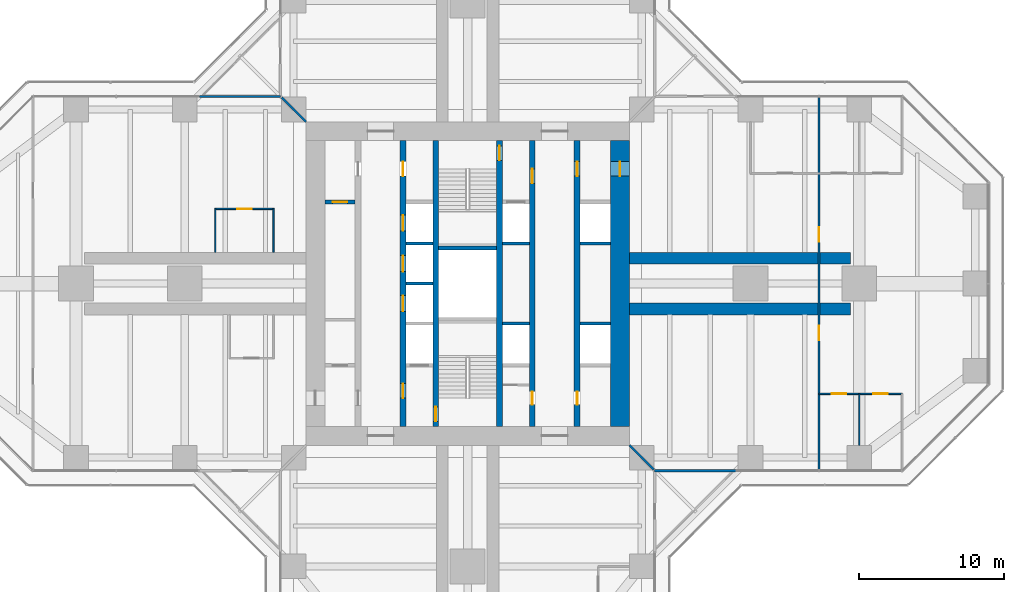
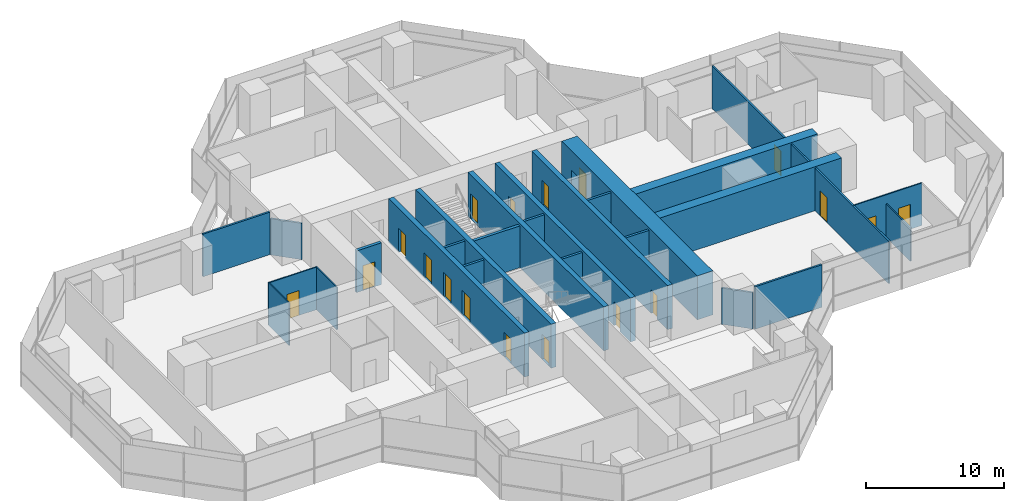
# One storey, part 16 of 19: 26 walls, 18 doors, 18 openings.
"""IFC4 building model written with IfcOpenShell, lengths in metres."""

from ifc_helpers import new_model, si_unit, direction, frame, frame_2d, origin, place, context, subcontext, project, spatial, rectangle, extrude, material, layer, layer_set, type_object, element, fill, save


model = new_model("IFC4")

# Units and contexts
model_context = context("Model", 3, precision=1e-05, world=origin(), true_north=direction((0.0, 1.0)))
body_context = subcontext(model_context, "Body", "Model", "MODEL_VIEW")
ifc_project = project(units=[si_unit("LENGTHUNIT", "METRE"), si_unit("AREAUNIT", "SQUARE_METRE"), si_unit("VOLUMEUNIT", "CUBIC_METRE"), si_unit("PLANEANGLEUNIT", "RADIAN"), si_unit("MASSUNIT", "GRAM", prefix="KILO")], contexts=[model_context])

# Site, building, storey
site_placement = place(None, origin())
site = spatial("IfcSite", under=ifc_project, at=site_placement, CompositionType="ELEMENT")
building_placement = place(site_placement, origin())
building = spatial("IfcBuilding", under=site, at=building_placement, Name="Mizan Broadcast Tower", CompositionType="ELEMENT")
storey_placement = place(building_placement, frame((0.0, 0.0, 128.10009765625)))
storey = spatial("IfcBuildingStorey", under=building, at=storey_placement, Name="L28", CompositionType="ELEMENT", Elevation=128.10009765625)

# Wall, openings, doors
ifc_material_1 = material(Name="Concrete C70/85", Category="concrete")
ifc_layer_1 = layer(ifc_material_1, 0.39990234375)
ifc_layer_set_1 = layer_set([ifc_layer_1], Name="Concrete C70/85")
wall_type_1 = type_object("IfcWallType", Name="CORE INTERNAL WALL 400", PredefinedType="SHEAR", material=ifc_layer_set_1)
wall_1_placement = place(storey_placement, frame((7.550048828125, 9.85009765625, 0.0), z_axis=(0.0, 0.0, 1.0), x_axis=(0.0, -1.0, 0.0)))
wall_1 = element("IfcWall", 1, at=wall_1_placement, inside=storey, type_object=wall_type_1, Name="Core wall CORE/XW1E", PredefinedType="SHEAR", context=body_context, shape_type="SweptSolid", body=[
    extrude(rectangle(XDim=19.7001953125, YDim=0.39990234375, at=frame_2d((9.85009765625, 0.0))), origin(), (0.0, 0.0, 1.0), 3.89990234375),
])
opening_1_placement = place(wall_1_placement, frame((1.449951171875, 0.0, 0.0)))
opening_1 = element("IfcOpeningElement", 2, at=opening_1_placement, cuts=wall_1, Name="Opening D10F", PredefinedType="OPENING", context=body_context, shape_type="SweptSolid", body=[
    extrude(rectangle(XDim=1.0, YDim=2.199951171875, at=frame_2d((0.5, 1.10009765625))), frame((0.0, 0.2099609375, 0.0), z_axis=(0.0, -1.0, 0.0), x_axis=(1.0, 0.0, 0.0)), (0.0, 0.0, 1.0), 0.419921875),
])
opening_2_placement = place(wall_1_placement, frame((17.300048828125, 0.0, 0.0)))
opening_2 = element("IfcOpeningElement", 3, at=opening_2_placement, cuts=wall_1, Name="Opening D09", PredefinedType="OPENING", context=body_context, shape_type="SweptSolid", body=[
    extrude(rectangle(XDim=0.89990234375, YDim=2.10009765625, at=frame_2d((0.449951171875, 1.050048828125))), frame((0.0, 0.2099609375, 0.0), z_axis=(0.0, -1.0, 0.0), x_axis=(1.0, 0.0, 0.0)), (0.0, 0.0, 1.0), 0.419921875),
])
ifc_material_2 = material(Name="Steel door leaf in steel frame", Category="steel")
door_type_1 = type_object("IfcDoorType", Name="FIRE DOOR 1000 FD90", OperationType="SINGLE_SWING_LEFT", PredefinedType="DOOR", material=ifc_material_2)
door_1_placement = place(opening_1_placement, origin())
door_1 = element("IfcDoor", 4, at=door_1_placement, inside=storey, type_object=door_type_1, Name="East core passage door", OperationType="SINGLE_SWING_LEFT", OverallHeight=2.199951171875, OverallWidth=1.0, PredefinedType="DOOR", context=body_context, shape_type="SweptSolid", body=[
    extrude(rectangle(XDim=1.0, YDim=2.199951171875, at=frame_2d((0.5, 1.10009765625))), frame((0.0, 0.02490234375, 0.0), z_axis=(0.0, -1.0, 0.0), x_axis=(1.0, 0.0, 0.0)), (0.0, 0.0, 1.0), 0.050048828125),
])
fill(opening_1, door_1)
ifc_material_3 = material(Name="Timber door leaf in aluminium frame", Category="wood")
door_type_2 = type_object("IfcDoorType", Name="TOILET DOOR 900", OperationType="SINGLE_SWING_LEFT", PredefinedType="DOOR", material=ifc_material_3)
door_2_placement = place(opening_2_placement, origin())
door_2 = element("IfcDoor", 5, at=door_2_placement, inside=storey, type_object=door_type_2, Name="Female WC door", OperationType="SINGLE_SWING_RIGHT", OverallHeight=2.10009765625, OverallWidth=0.89990234375, PredefinedType="DOOR", context=body_context, shape_type="SweptSolid", body=[
    extrude(rectangle(XDim=0.89990234375, YDim=2.10009765625, at=frame_2d((0.449951171875, 1.050048828125))), frame((0.0, 0.02490234375, 0.0), z_axis=(0.0, -1.0, 0.0), x_axis=(1.0, 0.0, 0.0)), (0.0, 0.0, 1.0), 0.050048828125),
])
fill(opening_2, door_2)

wall_2_placement = place(storey_placement, frame((-4.449951171875, -9.85009765625, 0.0), z_axis=(0.0, 0.0, 1.0), x_axis=(0.0, 1.0, 0.0)))
wall_2 = element("IfcWall", 6, at=wall_2_placement, inside=storey, type_object=wall_type_1, Name="Core wall CORE/XWH", PredefinedType="SHEAR", context=body_context, shape_type="SweptSolid", body=[
    extrude(rectangle(XDim=19.7001953125, YDim=0.39990234375, at=frame_2d((9.85009765625, 0.0))), origin(), (0.0, 0.0, 1.0), 3.89990234375),
])
opening_3_placement = place(wall_2_placement, frame((1.949951171875, 0.0, 0.0)))
opening_3 = element("IfcOpeningElement", 7, at=opening_3_placement, cuts=wall_2, Name="Opening D10F", PredefinedType="OPENING", context=body_context, shape_type="SweptSolid", body=[
    extrude(rectangle(XDim=1.0, YDim=2.199951171875, at=frame_2d((0.5, 1.10009765625))), frame((0.0, 0.2099609375, 0.0), z_axis=(0.0, -1.0, 0.0), x_axis=(1.0, 0.0, 0.0)), (0.0, 0.0, 1.0), 0.419921875),
])
opening_4_placement = place(wall_2_placement, frame((17.25, 0.0, 0.0)))
opening_4 = element("IfcOpeningElement", 8, at=opening_4_placement, cuts=wall_2, Name="Opening D10A", PredefinedType="OPENING", context=body_context, shape_type="SweptSolid", body=[
    extrude(rectangle(XDim=1.0, YDim=2.10009765625, at=frame_2d((0.5, 1.050048828125))), frame((0.0, 0.2099609375, 0.0), z_axis=(0.0, -1.0, 0.0), x_axis=(1.0, 0.0, 0.0)), (0.0, 0.0, 1.0), 0.419921875),
])
opening_5_placement = place(wall_2_placement, frame((7.925048828125, 0.0, 0.0)))
opening_5 = element("IfcOpeningElement", 9, at=opening_5_placement, cuts=wall_2, Name="Opening LD", PredefinedType="OPENING", context=body_context, shape_type="SweptSolid", body=[
    extrude(rectangle(XDim=1.10009765625, YDim=2.199951171875, at=frame_2d((0.550048828125, 1.10009765625))), frame((0.0, 0.2099609375, 0.0), z_axis=(0.0, -1.0, 0.0), x_axis=(1.0, 0.0, 0.0)), (0.0, 0.0, 1.0), 0.419921875),
])
opening_6_placement = place(wall_2_placement, frame((10.675048828125, 0.0, 0.0)))
opening_6 = element("IfcOpeningElement", 10, at=opening_6_placement, cuts=wall_2, Name="Opening LD", PredefinedType="OPENING", context=body_context, shape_type="SweptSolid", body=[
    extrude(rectangle(XDim=1.10009765625, YDim=2.199951171875, at=frame_2d((0.550048828125, 1.10009765625))), frame((0.0, 0.2099609375, 0.0), z_axis=(0.0, -1.0, 0.0), x_axis=(1.0, 0.0, 0.0)), (0.0, 0.0, 1.0), 0.419921875),
])
opening_7_placement = place(wall_2_placement, frame((13.47509765625, 0.0, 0.0)))
opening_7 = element("IfcOpeningElement", 11, at=opening_7_placement, cuts=wall_2, Name="Opening LD", PredefinedType="OPENING", context=body_context, shape_type="SweptSolid", body=[
    extrude(rectangle(XDim=1.10009765625, YDim=2.199951171875, at=frame_2d((0.550048828125, 1.10009765625))), frame((0.0, 0.2099609375, 0.0), z_axis=(0.0, -1.0, 0.0), x_axis=(1.0, 0.0, 0.0)), (0.0, 0.0, 1.0), 0.419921875),
])
ifc_material_4 = material(Name="Timber door leaf in aluminium frame", Category="wood")
door_type_3 = type_object("IfcDoorType", Name="ACCESSIBLE WC DOOR 1000", OperationType="SLIDING_TO_LEFT", PredefinedType="DOOR", material=ifc_material_4)
door_3_placement = place(opening_4_placement, origin())
door_3 = element("IfcDoor", 12, at=door_3_placement, inside=storey, type_object=door_type_3, Name="Accessible WC door", OperationType="SLIDING_TO_LEFT", OverallHeight=2.10009765625, OverallWidth=1.0, PredefinedType="DOOR", context=body_context, shape_type="SweptSolid", body=[
    extrude(rectangle(XDim=1.0, YDim=2.10009765625, at=frame_2d((0.5, 1.050048828125))), frame((0.0, 0.02490234375, 0.0), z_axis=(0.0, -1.0, 0.0), x_axis=(1.0, 0.0, 0.0)), (0.0, 0.0, 1.0), 0.050048828125),
])
fill(opening_4, door_3)
door_4_placement = place(opening_3_placement, origin())
door_4 = element("IfcDoor", 13, at=door_4_placement, inside=storey, type_object=door_type_1, Name="Firefighting lobby A door", OperationType="SINGLE_SWING_LEFT", OverallHeight=2.199951171875, OverallWidth=1.0, PredefinedType="DOOR", context=body_context, shape_type="SweptSolid", body=[
    extrude(rectangle(XDim=1.0, YDim=2.199951171875, at=frame_2d((0.5, 1.10009765625))), frame((0.0, 0.02490234375, 0.0), z_axis=(0.0, -1.0, 0.0), x_axis=(1.0, 0.0, 0.0)), (0.0, 0.0, 1.0), 0.050048828125),
])
fill(opening_3, door_4)
ifc_material_5 = material(Name="Steel door leaf in steel frame", Category="steel")
door_type_4 = type_object("IfcDoorType", Name="LIFT LANDING DOOR 1100", OperationType="SLIDING_TO_LEFT", PredefinedType="DOOR", material=ifc_material_5)
door_5_placement = place(opening_5_placement, origin())
door_5 = element("IfcDoor", 14, at=door_5_placement, inside=storey, type_object=door_type_4, Name="Landing door LB1", OperationType="SLIDING_TO_LEFT", OverallHeight=2.199951171875, OverallWidth=1.10009765625, PredefinedType="DOOR", context=body_context, shape_type="SweptSolid", body=[
    extrude(rectangle(XDim=1.10009765625, YDim=2.199951171875, at=frame_2d((0.550048828125, 1.10009765625))), frame((0.0, 0.02490234375, 0.0), z_axis=(0.0, -1.0, 0.0), x_axis=(1.0, 0.0, 0.0)), (0.0, 0.0, 1.0), 0.050048828125),
])
fill(opening_5, door_5)
door_6_placement = place(opening_6_placement, origin())
door_6 = element("IfcDoor", 15, at=door_6_placement, inside=storey, type_object=door_type_4, Name="Landing door LB2", OperationType="SLIDING_TO_LEFT", OverallHeight=2.199951171875, OverallWidth=1.10009765625, PredefinedType="DOOR", context=body_context, shape_type="SweptSolid", body=[
    extrude(rectangle(XDim=1.10009765625, YDim=2.199951171875, at=frame_2d((0.550048828125, 1.10009765625))), frame((0.0, 0.02490234375, 0.0), z_axis=(0.0, -1.0, 0.0), x_axis=(1.0, 0.0, 0.0)), (0.0, 0.0, 1.0), 0.050048828125),
])
fill(opening_6, door_6)
door_7_placement = place(opening_7_placement, origin())
door_7 = element("IfcDoor", 16, at=door_7_placement, inside=storey, type_object=door_type_4, Name="Landing door LB3", OperationType="SLIDING_TO_LEFT", OverallHeight=2.199951171875, OverallWidth=1.10009765625, PredefinedType="DOOR", context=body_context, shape_type="SweptSolid", body=[
    extrude(rectangle(XDim=1.10009765625, YDim=2.199951171875, at=frame_2d((0.550048828125, 1.10009765625))), frame((0.0, 0.02490234375, 0.0), z_axis=(0.0, -1.0, 0.0), x_axis=(1.0, 0.0, 0.0)), (0.0, 0.0, 1.0), 0.050048828125),
])
fill(opening_7, door_7)

wall_3_placement = place(storey_placement, frame((4.449951171875, 9.85009765625, 0.0), z_axis=(0.0, 0.0, 1.0), x_axis=(0.0, -1.0, 0.0)))
wall_3 = element("IfcWall", 17, at=wall_3_placement, inside=storey, type_object=wall_type_1, Name="Core wall CORE/XWHE", PredefinedType="SHEAR", context=body_context, shape_type="SweptSolid", body=[
    extrude(rectangle(XDim=19.7001953125, YDim=0.39990234375, at=frame_2d((9.85009765625, 0.0))), origin(), (0.0, 0.0, 1.0), 3.89990234375),
])
opening_8_placement = place(wall_3_placement, frame((1.949951171875, 0.0, 0.0)))
opening_8 = element("IfcOpeningElement", 18, at=opening_8_placement, cuts=wall_3, Name="Opening D10F", PredefinedType="OPENING", context=body_context, shape_type="SweptSolid", body=[
    extrude(rectangle(XDim=1.0, YDim=2.199951171875, at=frame_2d((0.5, 1.10009765625))), frame((0.0, 0.2099609375, 0.0), z_axis=(0.0, -1.0, 0.0), x_axis=(1.0, 0.0, 0.0)), (0.0, 0.0, 1.0), 0.419921875),
])
opening_9_placement = place(wall_3_placement, frame((17.300048828125, 0.0, 0.0)))
opening_9 = element("IfcOpeningElement", 19, at=opening_9_placement, cuts=wall_3, Name="Opening D09", PredefinedType="OPENING", context=body_context, shape_type="SweptSolid", body=[
    extrude(rectangle(XDim=0.89990234375, YDim=2.10009765625, at=frame_2d((0.449951171875, 1.050048828125))), frame((0.0, 0.2099609375, 0.0), z_axis=(0.0, -1.0, 0.0), x_axis=(1.0, 0.0, 0.0)), (0.0, 0.0, 1.0), 0.419921875),
])
door_8_placement = place(opening_8_placement, origin())
door_8 = element("IfcDoor", 20, at=door_8_placement, inside=storey, type_object=door_type_1, Name="Firefighting lobby B door", OperationType="SINGLE_SWING_LEFT", OverallHeight=2.199951171875, OverallWidth=1.0, PredefinedType="DOOR", context=body_context, shape_type="SweptSolid", body=[
    extrude(rectangle(XDim=1.0, YDim=2.199951171875, at=frame_2d((0.5, 1.10009765625))), frame((0.0, 0.02490234375, 0.0), z_axis=(0.0, -1.0, 0.0), x_axis=(1.0, 0.0, 0.0)), (0.0, 0.0, 1.0), 0.050048828125),
])
fill(opening_8, door_8)
door_9_placement = place(opening_9_placement, origin())
door_9 = element("IfcDoor", 21, at=door_9_placement, inside=storey, type_object=door_type_2, Name="Cleaner's store door", OperationType="SINGLE_SWING_RIGHT", OverallHeight=2.10009765625, OverallWidth=0.89990234375, PredefinedType="DOOR", context=body_context, shape_type="SweptSolid", body=[
    extrude(rectangle(XDim=0.89990234375, YDim=2.10009765625, at=frame_2d((0.449951171875, 1.050048828125))), frame((0.0, 0.02490234375, 0.0), z_axis=(0.0, -1.0, 0.0), x_axis=(1.0, 0.0, 0.0)), (0.0, 0.0, 1.0), 0.050048828125),
])
fill(opening_9, door_9)

# Wall, opening, door
wall_4_placement = place(storey_placement, frame((-2.199951171875, -9.85009765625, 0.0), z_axis=(0.0, 0.0, 1.0), x_axis=(0.0, 1.0, 0.0)))
wall_4 = element("IfcWall", 22, at=wall_4_placement, inside=storey, type_object=wall_type_1, Name="Core wall CORE/XW2", PredefinedType="SHEAR", context=body_context, shape_type="SweptSolid", body=[
    extrude(rectangle(XDim=19.7001953125, YDim=0.39990234375, at=frame_2d((9.85009765625, 0.0))), origin(), (0.0, 0.0, 1.0), 3.89990234375),
])
opening_10_placement = place(wall_4_placement, frame((0.35009765625, 0.0, 0.0)))
opening_10 = element("IfcOpeningElement", 23, at=opening_10_placement, cuts=wall_4, Name="Opening D10S", PredefinedType="OPENING", context=body_context, shape_type="SweptSolid", body=[
    extrude(rectangle(XDim=1.0, YDim=2.199951171875, at=frame_2d((0.5, 1.10009765625))), frame((0.0, 0.2099609375, 0.0), z_axis=(0.0, -1.0, 0.0), x_axis=(1.0, 0.0, 0.0)), (0.0, 0.0, 1.0), 0.419921875),
])
ifc_material_6 = material(Name="Steel door leaf in steel frame", Category="steel")
door_type_5 = type_object("IfcDoorType", Name="STAIR DOOR 1000 FD90S", OperationType="SINGLE_SWING_RIGHT", PredefinedType="DOOR", material=ifc_material_6)
door_10_placement = place(opening_10_placement, origin())
door_10 = element("IfcDoor", 24, at=door_10_placement, inside=storey, type_object=door_type_5, Name="Stair A door", OperationType="SINGLE_SWING_RIGHT", OverallHeight=2.199951171875, OverallWidth=1.0, PredefinedType="DOOR", context=body_context, shape_type="SweptSolid", body=[
    extrude(rectangle(XDim=1.0, YDim=2.199951171875, at=frame_2d((0.5, 1.10009765625))), frame((0.0, 0.02490234375, 0.0), z_axis=(0.0, -1.0, 0.0), x_axis=(1.0, 0.0, 0.0)), (0.0, 0.0, 1.0), 0.050048828125),
])
fill(opening_10, door_10)

wall_5_placement = place(storey_placement, frame((2.199951171875, 9.85009765625, 0.0), z_axis=(0.0, 0.0, 1.0), x_axis=(0.0, -1.0, 0.0)))
wall_5 = element("IfcWall", 25, at=wall_5_placement, inside=storey, type_object=wall_type_1, Name="Core wall CORE/XW2E", PredefinedType="SHEAR", context=body_context, shape_type="SweptSolid", body=[
    extrude(rectangle(XDim=19.7001953125, YDim=0.39990234375, at=frame_2d((9.85009765625, 0.0))), origin(), (0.0, 0.0, 1.0), 3.89990234375),
])
opening_11_placement = place(wall_5_placement, frame((0.35009765625, 0.0, 0.0)))
opening_11 = element("IfcOpeningElement", 26, at=opening_11_placement, cuts=wall_5, Name="Opening D10S", PredefinedType="OPENING", context=body_context, shape_type="SweptSolid", body=[
    extrude(rectangle(XDim=1.0, YDim=2.199951171875, at=frame_2d((0.5, 1.10009765625))), frame((0.0, 0.2099609375, 0.0), z_axis=(0.0, -1.0, 0.0), x_axis=(1.0, 0.0, 0.0)), (0.0, 0.0, 1.0), 0.419921875),
])
door_11_placement = place(opening_11_placement, origin())
door_11 = element("IfcDoor", 27, at=door_11_placement, inside=storey, type_object=door_type_5, Name="Stair B door", OperationType="SINGLE_SWING_RIGHT", OverallHeight=2.199951171875, OverallWidth=1.0, PredefinedType="DOOR", context=body_context, shape_type="SweptSolid", body=[
    extrude(rectangle(XDim=1.0, YDim=2.199951171875, at=frame_2d((0.5, 1.10009765625))), frame((0.0, 0.02490234375, 0.0), z_axis=(0.0, -1.0, 0.0), x_axis=(1.0, 0.0, 0.0)), (0.0, 0.0, 1.0), 0.050048828125),
])
fill(opening_11, door_11)

ifc_material_7 = material(Name="Concrete C70/85", Category="concrete")
ifc_layer_2 = layer(ifc_material_7, 1.300048828125)
ifc_layer_set_2 = layer_set([ifc_layer_2], Name="Concrete C70/85")
wall_type_2 = type_object("IfcWallType", Name="CORE WALL 1300", PredefinedType="SHEAR", material=ifc_layer_set_2)
wall_6_placement = place(storey_placement, frame((10.5, -9.85009765625, 0.0), z_axis=(0.0, 0.0, 1.0), x_axis=(0.0, 1.0, 0.0)))
wall_6 = element("IfcWall", 28, at=wall_6_placement, inside=storey, type_object=wall_type_2, Name="Core wall E L28", PredefinedType="SHEAR", context=body_context, shape_type="SweptSolid", body=[
    extrude(rectangle(XDim=19.7001953125, YDim=1.300048828125, at=frame_2d((9.85009765625, 0.0))), origin(), (0.0, 0.0, 1.0), 3.89990234375),
])
opening_12_placement = place(wall_6_placement, frame((17.25, 0.0, 0.0)))
opening_12 = element("IfcOpeningElement", 29, at=opening_12_placement, cuts=wall_6, Name="Opening D10F", PredefinedType="OPENING", context=body_context, shape_type="SweptSolid", body=[
    extrude(rectangle(XDim=1.0, YDim=2.199951171875, at=frame_2d((0.5, 1.10009765625))), frame((0.0, 0.659912109375, 0.0), z_axis=(0.0, -1.0, 0.0), x_axis=(1.0, 0.0, 0.0)), (0.0, 0.0, 1.0), 1.320068359375),
])
door_12_placement = place(opening_12_placement, origin())
door_12 = element("IfcDoor", 30, at=door_12_placement, inside=storey, type_object=door_type_1, Name="East core passage arm door", OperationType="SINGLE_SWING_RIGHT", OverallHeight=2.199951171875, OverallWidth=1.0, PredefinedType="DOOR", context=body_context, shape_type="SweptSolid", body=[
    extrude(rectangle(XDim=1.0, YDim=2.199951171875, at=frame_2d((0.5, 1.10009765625))), frame((0.0, 0.02490234375, 0.0), z_axis=(0.0, -1.0, 0.0), x_axis=(1.0, 0.0, 0.0)), (0.0, 0.0, 1.0), 0.050048828125),
])
fill(opening_12, door_12)

# Walls
ifc_material_8 = material(Name="Aluminium framed glazed screen", Category="aluminium")
ifc_layer_3 = layer(ifc_material_8, 0.159912109375)
ifc_layer_set_3 = layer_set([ifc_layer_3], Name="Aluminium framed glazed screen")
wall_type_3 = type_object("IfcWallType", Name="GLAZED SCREEN WALL 160", PredefinedType="SOLIDWALL", material=ifc_layer_set_3)
for number, where, z_axis, x_axis, name in (
    (31, (12.89990234375, -12.89990234375, 0.0), (0.0, 0.0, 1.0), (1.0, 0.0, 0.0), "Winter garden screen L28 E"),
    (32, (-12.89990234375, 12.89990234375, 0.0), (0.0, 0.0, 1.0), (-1.0, 0.0, 0.0), "Winter garden screen L28 W"),
):
    element("IfcWall", number, at=place(storey_placement, frame(where, z_axis=z_axis, x_axis=x_axis)), inside=storey, type_object=wall_type_3, Name=name, PredefinedType="SOLIDWALL", context=body_context, shape_type="SweptSolid", body=[
        extrude(rectangle(XDim=5.60009765625, YDim=0.159912109375, at=frame_2d((2.800048828125, 0.0))), origin(), (0.0, 0.0, 1.0), 3.77001953125),
    ])
ifc_material_9 = material(Name="Concrete blockwork", Category="masonry")
ifc_layer_4 = layer(ifc_material_9, 0.199951171875)
ifc_layer_set_4 = layer_set([ifc_layer_4], Name="Concrete blockwork")
wall_type_4 = type_object("IfcWallType", Name="LIFT SHAFT WALL 200", PredefinedType="SOLIDWALL", material=ifc_layer_set_4)
wall_7_placement = place(storey_placement, frame((2.39990234375, -2.75, 0.0), z_axis=(0.0, 0.0, 1.0), x_axis=(1.0, 0.0, 0.0)))
element("IfcWall", 33, at=wall_7_placement, inside=storey, type_object=wall_type_4, Name="Lift shaft wall CORE/SE2-1", PredefinedType="SOLIDWALL", context=body_context, shape_type="SweptSolid", body=[
    extrude(rectangle(XDim=1.85009765625, YDim=0.199951171875, at=frame_2d((0.925048828125, 0.0))), origin(), (0.0, 0.0, 1.0), 3.699951171875),
])
wall_8_placement = place(storey_placement, frame((7.75, -2.75, 0.0), z_axis=(0.0, 0.0, 1.0), x_axis=(1.0, 0.0, 0.0)))
element("IfcWall", 34, at=wall_8_placement, inside=storey, type_object=wall_type_4, Name="Lift shaft wall CORE/SE1-1", PredefinedType="SOLIDWALL", context=body_context, shape_type="SweptSolid", body=[
    extrude(rectangle(XDim=2.10009765625, YDim=0.199951171875, at=frame_2d((1.050048828125, 0.0))), origin(), (0.0, 0.0, 1.0), 3.699951171875),
])
for number, where, z_axis, x_axis, name in (
    (35, (-4.25, 0.0, 0.0), (0.0, 0.0, 1.0), (1.0, 0.0, 0.0), "Lift shaft wall CORE/SW2-2"),
    (36, (-4.25, 2.75, 0.0), (0.0, 0.0, 1.0), (1.0, 0.0, 0.0), "Lift shaft wall CORE/SW2-3"),
    (37, (2.39990234375, 2.75, 0.0), (0.0, 0.0, 1.0), (1.0, 0.0, 0.0), "Lift shaft wall CORE/SE2-3"),
):
    element("IfcWall", number, at=place(storey_placement, frame(where, z_axis=z_axis, x_axis=x_axis)), inside=storey, type_object=wall_type_4, Name=name, PredefinedType="SOLIDWALL", context=body_context, shape_type="SweptSolid", body=[
        extrude(rectangle(XDim=1.85009765625, YDim=0.199951171875, at=frame_2d((0.925048828125, 0.0))), origin(), (0.0, 0.0, 1.0), 3.699951171875),
    ])
wall_9_placement = place(storey_placement, frame((7.75, 2.75, 0.0), z_axis=(0.0, 0.0, 1.0), x_axis=(1.0, 0.0, 0.0)))
element("IfcWall", 38, at=wall_9_placement, inside=storey, type_object=wall_type_4, Name="Lift shaft wall CORE/SE1-3", PredefinedType="SOLIDWALL", context=body_context, shape_type="SweptSolid", body=[
    extrude(rectangle(XDim=2.10009765625, YDim=0.199951171875, at=frame_2d((1.050048828125, 0.0))), origin(), (0.0, 0.0, 1.0), 3.699951171875),
])

# Wall, opening, door
ifc_material_10 = material(Name="Concrete blockwork", Category="masonry")
ifc_layer_5 = layer(ifc_material_10, 0.25)
ifc_layer_set_5 = layer_set([ifc_layer_5], Name="Concrete blockwork")
wall_type_5 = type_object("IfcWallType", Name="LOBBY ENCLOSURE WALL 250", PredefinedType="SOLIDWALL", material=ifc_layer_set_5)
wall_10_placement = place(storey_placement, frame((-9.85009765625, 5.625, 0.0), z_axis=(0.0, 0.0, 1.0), x_axis=(1.0, 0.0, 0.0)))
wall_10 = element("IfcWall", 39, at=wall_10_placement, inside=storey, type_object=wall_type_5, Name="Lobby enclosure wall CORE/BW1N", PredefinedType="SOLIDWALL", context=body_context, shape_type="SweptSolid", body=[
    extrude(rectangle(XDim=2.10009765625, YDim=0.25, at=frame_2d((1.050048828125, 0.0))), origin(), (0.0, 0.0, 1.0), 3.699951171875),
])
opening_13_placement = place(wall_10_placement, frame((0.550048828125, 0.0, 0.0)))
opening_13 = element("IfcOpeningElement", 40, at=opening_13_placement, cuts=wall_10, Name="Opening D10F", PredefinedType="OPENING", context=body_context, shape_type="SweptSolid", body=[
    extrude(rectangle(XDim=1.0, YDim=2.199951171875, at=frame_2d((0.5, 1.10009765625))), frame((0.0, 0.135009765625, 0.0), z_axis=(0.0, -1.0, 0.0), x_axis=(1.0, 0.0, 0.0)), (0.0, 0.0, 1.0), 0.27001953125),
])
door_13_placement = place(opening_13_placement, origin())
door_13 = element("IfcDoor", 41, at=door_13_placement, inside=storey, type_object=door_type_1, Name="Male staff shower room door", OperationType="SINGLE_SWING_RIGHT", OverallHeight=2.199951171875, OverallWidth=1.0, PredefinedType="DOOR", context=body_context, shape_type="SweptSolid", body=[
    extrude(rectangle(XDim=1.0, YDim=2.199951171875, at=frame_2d((0.5, 1.10009765625))), frame((0.0, 0.02490234375, 0.0), z_axis=(0.0, -1.0, 0.0), x_axis=(1.0, 0.0, 0.0)), (0.0, 0.0, 1.0), 0.050048828125),
])
fill(opening_13, door_13)

# Wall
wall_11_placement = place(storey_placement, frame((-2.0, 2.449951171875, 0.0), z_axis=(0.0, 0.0, 1.0), x_axis=(1.0, 0.0, 0.0)))
element("IfcWall", 42, at=wall_11_placement, inside=storey, type_object=wall_type_5, Name="Lobby enclosure wall CORE/STB", PredefinedType="SOLIDWALL", context=body_context, shape_type="SweptSolid", body=[
    extrude(rectangle(XDim=4.0, YDim=0.25, at=frame_2d((2.0, 0.0))), origin(), (0.0, 0.0, 1.0), 3.699951171875),
])

# Wall, openings, doors
ifc_material_11 = material(Name="Gypsum board on steel studs", Category="steel")
ifc_layer_6 = layer(ifc_material_11, 0.14990234375)
ifc_layer_set_6 = layer_set([ifc_layer_6], Name="Gypsum board on steel studs")
wall_type_6 = type_object("IfcWallType", Name="PARTITION 150", PredefinedType="PARTITIONING", material=ifc_layer_set_6)
wall_12_placement = place(storey_placement, frame((24.22900390625, -12.820068359375, 0.0), z_axis=(0.0, 0.0, 1.0), x_axis=(0.0, 1.0, 0.0)))
wall_12 = element("IfcWall", 43, at=wall_12_placement, inside=storey, type_object=wall_type_6, Name="Partition PT/EX1", PredefinedType="PARTITIONING", context=body_context, shape_type="SweptSolid", body=[
    extrude(rectangle(XDim=25.64013671875, YDim=0.14990234375, at=frame_2d((12.820068359375, 0.0))), origin(), (0.0, 0.0, 1.0), 3.77001953125),
])
opening_14_placement = place(wall_12_placement, frame((15.719970703125, 0.0, 0.0)))
opening_14 = element("IfcOpeningElement", 44, at=opening_14_placement, cuts=wall_12, Name="Opening D10", PredefinedType="OPENING", context=body_context, shape_type="SweptSolid", body=[
    extrude(rectangle(XDim=1.0, YDim=2.199951171875, at=frame_2d((0.5, 1.10009765625))), frame((0.0, 0.0849609375, 0.0), z_axis=(0.0, -1.0, 0.0), x_axis=(1.0, 0.0, 0.0)), (0.0, 0.0, 1.0), 0.169921875),
])
opening_15_placement = place(wall_12_placement, frame((8.919921875, 0.0, 0.0)))
opening_15 = element("IfcOpeningElement", 45, at=opening_15_placement, cuts=wall_12, Name="Opening D10", PredefinedType="OPENING", context=body_context, shape_type="SweptSolid", body=[
    extrude(rectangle(XDim=1.0, YDim=2.199951171875, at=frame_2d((0.5, 1.10009765625))), frame((0.0, 0.0849609375, 0.0), z_axis=(0.0, -1.0, 0.0), x_axis=(1.0, 0.0, 0.0)), (0.0, 0.0, 1.0), 0.169921875),
])
ifc_material_12 = material(Name="Timber door leaf in aluminium frame", Category="wood")
door_type_6 = type_object("IfcDoorType", Name="ROOM DOOR 1000", OperationType="SINGLE_SWING_LEFT", PredefinedType="DOOR", material=ifc_material_12)
door_14_placement = place(opening_14_placement, origin())
door_14 = element("IfcDoor", 46, at=door_14_placement, inside=storey, type_object=door_type_6, Name="Open office door", OperationType="SINGLE_SWING_RIGHT", OverallHeight=2.199951171875, OverallWidth=1.0, PredefinedType="DOOR", context=body_context, shape_type="SweptSolid", body=[
    extrude(rectangle(XDim=1.0, YDim=2.199951171875, at=frame_2d((0.5, 1.10009765625))), frame((0.0, 0.02490234375, 0.0), z_axis=(0.0, -1.0, 0.0), x_axis=(1.0, 0.0, 0.0)), (0.0, 0.0, 1.0), 0.050048828125),
])
fill(opening_14, door_14)
door_15_placement = place(opening_15_placement, origin())
door_15 = element("IfcDoor", 47, at=door_15_placement, inside=storey, type_object=door_type_6, Name="Open office door", OperationType="SINGLE_SWING_LEFT", OverallHeight=2.199951171875, OverallWidth=1.0, PredefinedType="DOOR", context=body_context, shape_type="SweptSolid", body=[
    extrude(rectangle(XDim=1.0, YDim=2.199951171875, at=frame_2d((0.5, 1.10009765625))), frame((0.0, 0.02490234375, 0.0), z_axis=(0.0, -1.0, 0.0), x_axis=(1.0, 0.0, 0.0)), (0.0, 0.0, 1.0), 0.050048828125),
])
fill(opening_15, door_15)

# Walls
for number, where, z_axis, x_axis, name in (
    (48, (-11.14990234375, 11.14990234375, 0.0), (0.0, 0.0, 1.0), (-0.707106781187, 0.707106781187, 0.0), "Partition PT/DGWN"),
    (49, (11.14990234375, -11.14990234375, 0.0), (0.0, 0.0, 1.0), (0.707106781187, -0.707106781187, 0.0), "Partition PT/DGES"),
):
    element("IfcWall", number, at=place(storey_placement, frame(where, z_axis=z_axis, x_axis=x_axis)), inside=storey, type_object=wall_type_6, Name=name, PredefinedType="PARTITIONING", context=body_context, shape_type="SweptSolid", body=[
        extrude(rectangle(XDim=2.362060546875, YDim=0.14990234375, at=frame_2d((1.18115234375, 0.0))), origin(), (0.0, 0.0, 1.0), 3.219970703125),
    ])

# Wall, openings, doors
ifc_material_13 = material(Name="Glazed aluminium partition on aluminium track", Category="aluminium")
ifc_layer_7 = layer(ifc_material_13, 0.10009765625)
ifc_layer_set_7 = layer_set([ifc_layer_7], Name="Glazed aluminium partition on aluminium track")
wall_type_7 = type_object("IfcWallType", Name="PARTITION GLAZED OFFICE FRONT 100", PredefinedType="PARTITIONING", material=ifc_layer_set_7)
wall_13_placement = place(storey_placement, frame((24.22900390625, -7.60009765625, 0.0), z_axis=(0.0, 0.0, 1.0), x_axis=(1.0, 0.0, 0.0)))
wall_13 = element("IfcWall", 50, at=wall_13_placement, inside=storey, type_object=wall_type_7, Name="Glazed office front PT/ECN0", PredefinedType="PARTITIONING", context=body_context, shape_type="SweptSolid", body=[
    extrude(rectangle(XDim=5.72998046875, YDim=0.10009765625, at=frame_2d((2.864990234375, 0.0))), origin(), (0.0, 0.0, 1.0), 3.77001953125),
])
opening_16_placement = place(wall_13_placement, frame((0.885498046875, 0.0, 0.0)))
opening_16 = element("IfcOpeningElement", 51, at=opening_16_placement, cuts=wall_13, Name="Opening D10O", PredefinedType="OPENING", context=body_context, shape_type="SweptSolid", body=[
    extrude(rectangle(XDim=1.0, YDim=2.199951171875, at=frame_2d((0.5, 1.10009765625))), frame((0.0, 0.06005859375, 0.0), z_axis=(0.0, -1.0, 0.0), x_axis=(1.0, 0.0, 0.0)), (0.0, 0.0, 1.0), 0.1201171875),
])
opening_17_placement = place(wall_13_placement, frame((3.75048828125, 0.0, 0.0)))
opening_17 = element("IfcOpeningElement", 52, at=opening_17_placement, cuts=wall_13, Name="Opening D10O", PredefinedType="OPENING", context=body_context, shape_type="SweptSolid", body=[
    extrude(rectangle(XDim=1.0, YDim=2.199951171875, at=frame_2d((0.5, 1.10009765625))), frame((0.0, 0.06005859375, 0.0), z_axis=(0.0, -1.0, 0.0), x_axis=(1.0, 0.0, 0.0)), (0.0, 0.0, 1.0), 0.1201171875),
])
ifc_material_14 = material(Name="Timber door leaf in aluminium frame", Category="wood")
door_type_7 = type_object("IfcDoorType", Name="OFFICE DOOR 1000 GLAZED", OperationType="SINGLE_SWING_LEFT", PredefinedType="DOOR", material=ifc_material_14)
door_16_placement = place(opening_16_placement, origin())
door_16 = element("IfcDoor", 53, at=door_16_placement, inside=storey, type_object=door_type_7, Name="Office door", OperationType="SINGLE_SWING_LEFT", OverallHeight=2.199951171875, OverallWidth=1.0, PredefinedType="DOOR", context=body_context, shape_type="SweptSolid", body=[
    extrude(rectangle(XDim=1.0, YDim=2.199951171875, at=frame_2d((0.5, 1.10009765625))), frame((0.0, 0.02490234375, 0.0), z_axis=(0.0, -1.0, 0.0), x_axis=(1.0, 0.0, 0.0)), (0.0, 0.0, 1.0), 0.050048828125),
])
fill(opening_16, door_16)
door_17_placement = place(opening_17_placement, origin())
door_17 = element("IfcDoor", 54, at=door_17_placement, inside=storey, type_object=door_type_7, Name="Office door", OperationType="SINGLE_SWING_RIGHT", OverallHeight=2.199951171875, OverallWidth=1.0, PredefinedType="DOOR", context=body_context, shape_type="SweptSolid", body=[
    extrude(rectangle(XDim=1.0, YDim=2.199951171875, at=frame_2d((0.5, 1.10009765625))), frame((0.0, 0.02490234375, 0.0), z_axis=(0.0, -1.0, 0.0), x_axis=(1.0, 0.0, 0.0)), (0.0, 0.0, 1.0), 0.050048828125),
])
fill(opening_17, door_17)

# Walls
wall_14_placement = place(storey_placement, frame((27.0, -7.60009765625, 0.0), z_axis=(0.0, 0.0, 1.0), x_axis=(0.0, -1.0, 0.0)))
element("IfcWall", 55, at=wall_14_placement, inside=storey, type_object=wall_type_7, Name="Glazed office front PT/EQN2700", PredefinedType="PARTITIONING", context=body_context, shape_type="SweptSolid", body=[
    extrude(rectangle(XDim=3.5498046875, YDim=0.10009765625, at=frame_2d((1.77490234375, 0.0))), origin(), (0.0, 0.0, 1.0), 2.969970703125),
])
for number, where, z_axis, x_axis, name in (
    (56, (-13.39990234375, 2.14990234375, 0.0), (0.0, 0.0, 1.0), (0.0, 1.0, 0.0), "Glazed office front PT/WKN0a"),
    (57, (-17.39990234375, 2.14990234375, 0.0), (0.0, 0.0, 1.0), (0.0, 1.0, 0.0), "Glazed office front PT/WKN0b"),
):
    element("IfcWall", number, at=place(storey_placement, frame(where, z_axis=z_axis, x_axis=x_axis)), inside=storey, type_object=wall_type_7, Name=name, PredefinedType="PARTITIONING", context=body_context, shape_type="SweptSolid", body=[
        extrude(rectangle(XDim=3.0, YDim=0.10009765625, at=frame_2d((1.5, 0.0))), origin(), (0.0, 0.0, 1.0), 3.77001953125),
    ])

# Wall, opening, door
wall_15_placement = place(storey_placement, frame((-13.35009765625, 5.14990234375, 0.0), z_axis=(0.0, 0.0, 1.0), x_axis=(-1.0, 0.0, 0.0)))
wall_15 = element("IfcWall", 58, at=wall_15_placement, inside=storey, type_object=wall_type_7, Name="Glazed office front PT/WKN0f", PredefinedType="PARTITIONING", context=body_context, shape_type="SweptSolid", body=[
    extrude(rectangle(XDim=4.099853515625, YDim=0.10009765625, at=frame_2d((2.0498046875, 0.0))), origin(), (0.0, 0.0, 1.0), 3.77001953125),
])
opening_18_placement = place(wall_15_placement, frame((1.550048828125, 0.0, 0.0)))
opening_18 = element("IfcOpeningElement", 59, at=opening_18_placement, cuts=wall_15, Name="Opening D10O", PredefinedType="OPENING", context=body_context, shape_type="SweptSolid", body=[
    extrude(rectangle(XDim=1.0, YDim=2.199951171875, at=frame_2d((0.5, 1.10009765625))), frame((0.0, 0.06005859375, 0.0), z_axis=(0.0, -1.0, 0.0), x_axis=(1.0, 0.0, 0.0)), (0.0, 0.0, 1.0), 0.1201171875),
])
door_18_placement = place(opening_18_placement, origin())
door_18 = element("IfcDoor", 60, at=door_18_placement, inside=storey, type_object=door_type_7, Name="File room door", OperationType="SINGLE_SWING_LEFT", OverallHeight=2.199951171875, OverallWidth=1.0, PredefinedType="DOOR", context=body_context, shape_type="SweptSolid", body=[
    extrude(rectangle(XDim=1.0, YDim=2.199951171875, at=frame_2d((0.5, 1.10009765625))), frame((0.0, 0.02490234375, 0.0), z_axis=(0.0, -1.0, 0.0), x_axis=(1.0, 0.0, 0.0)), (0.0, 0.0, 1.0), 0.050048828125),
])
fill(opening_18, door_18)

# Walls
ifc_material_15 = material(Name="Concrete C70/85", Category="concrete")
ifc_layer_8 = layer(ifc_material_15, 0.800048828125)
ifc_layer_set_8 = layer_set([ifc_layer_8], Name="Concrete C70/85")
wall_type_8 = type_object("IfcWallType", Name="SPINE WALL 800", PredefinedType="SHEAR", material=ifc_layer_set_8)
for number, where, z_axis, x_axis, name in (
    (61, (11.14990234375, -1.75, 0.0), (0.0, 0.0, 1.0), (1.0, 0.0, 0.0), "Spine wall ER L28"),
    (62, (11.14990234375, 1.75, 0.0), (0.0, 0.0, 1.0), (1.0, 0.0, 0.0), "Spine wall EL L28"),
):
    element("IfcWall", number, at=place(storey_placement, frame(where, z_axis=z_axis, x_axis=x_axis)), inside=storey, type_object=wall_type_8, Name=name, PredefinedType="SHEAR", context=body_context, shape_type="SweptSolid", body=[
        extrude(rectangle(XDim=15.25, YDim=0.800048828125, at=frame_2d((7.625, 0.0))), origin(), (0.0, 0.0, 1.0), 3.89990234375),
    ])

save(model, "model.ifc")
